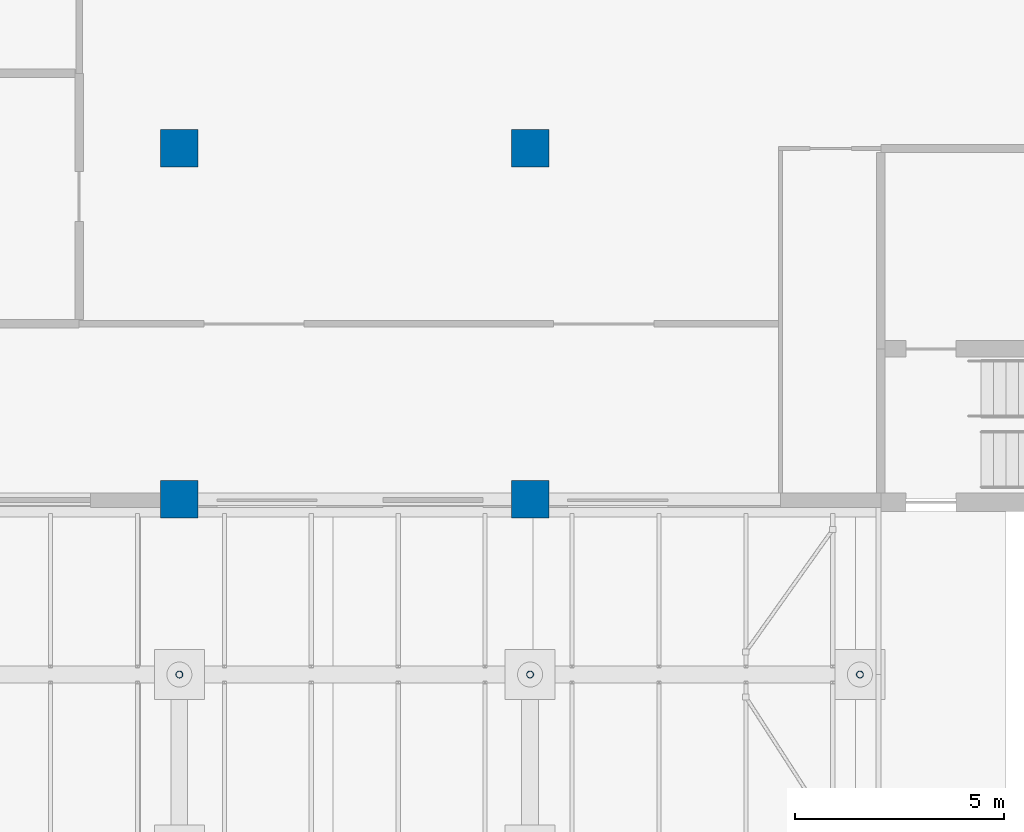
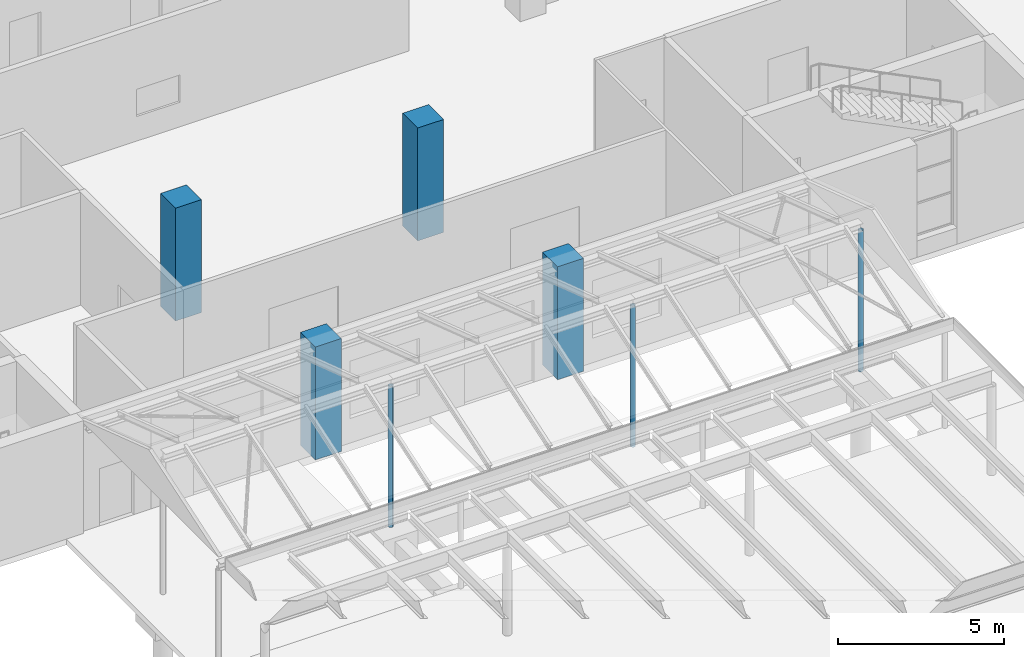
# One storey, part 9 of 138: 7 columns.
"""IFC4 building model written with IfcOpenShell, lengths in metres."""

from ifc_helpers import new_model, si_unit, direction, frame, origin, origin_2d, place, context, subcontext, project, spatial, rectangle, hollow_circle, extrude, material, material_profile, profile_set, type_object, element, save


model = new_model("IFC4")

# Units and contexts
model_context = context("Model", 3, precision=1e-05, world=origin(), true_north=direction((0.0, 1.0)))
body_context = subcontext(model_context, "Body", "Model", "MODEL_VIEW")
ifc_project = project(units=[si_unit("LENGTHUNIT", "METRE"), si_unit("AREAUNIT", "SQUARE_METRE"), si_unit("VOLUMEUNIT", "CUBIC_METRE"), si_unit("PLANEANGLEUNIT", "RADIAN"), si_unit("MASSUNIT", "GRAM", prefix="KILO")], contexts=[model_context])

# Site, building, storey
site_placement = place(None, origin())
site = spatial("IfcSite", under=ifc_project, at=site_placement, CompositionType="ELEMENT")
building_placement = place(site_placement, origin())
building = spatial("IfcBuilding", under=site, at=building_placement, Name="Yavir Park General Hospital", CompositionType="ELEMENT")
storey_placement = place(building_placement, origin())
storey = spatial("IfcBuildingStorey", under=building, at=storey_placement, Name="L00", CompositionType="ELEMENT", Elevation=0.0)

# Columns
ifc_material_1 = material(Name="Steel S355", Category="steel")
ifc_material_profile_1 = material_profile(ifc_material_1, hollow_circle(Radius=0.084228515625, WallThickness=0.008056640625, at=origin_2d()), Name="CHS168.3x8")
ifc_profile_set_1 = profile_set([ifc_material_profile_1], Name="Steel S355")
column_type_1 = type_object("IfcColumnType", Name="CHS 168.3x8 ridge post", PredefinedType="COLUMN", material=ifc_profile_set_1)
for number, where, z_axis, x_axis, name in (
    (1, (84.0, -4.199951171875, -0.300048828125), (0.0, 0.0, 1.0), (1.0, 0.0, 0.0), "RF:PORCH:frame:K:1"),
    (2, (92.39990234375, -4.199951171875, -0.300048828125), (0.0, 0.0, 1.0), (1.0, 0.0, 0.0), "RF:PORCH:frame:K:2"),
    (3, (100.300048828125, -4.199951171875, -0.300048828125), (0.0, 0.0, 1.0), (1.0, 0.0, 0.0), "RF:PORCH:frame:K:3"),
):
    element("IfcColumn", number, at=place(storey_placement, frame(where, z_axis=z_axis, x_axis=x_axis)), inside=storey, type_object=column_type_1, Name=name, PredefinedType="COLUMN", context=body_context, shape_type="SweptSolid", body=[
        extrude(hollow_circle(Radius=0.084228515625, WallThickness=0.008056640625, at=origin_2d()), origin(), (0.0, 0.0, 1.0), 5.171142578125),
    ])
ifc_material_2 = material(Name="Concrete C40/50", Category="concrete")
ifc_material_profile_2 = material_profile(ifc_material_2, rectangle(XDim=0.89990234375, YDim=0.89990234375, at=origin_2d()), Name="RC900x900")
ifc_profile_set_2 = profile_set([ifc_material_profile_2], Name="Concrete C40/50")
column_type_2 = type_object("IfcColumnType", Name="RC COLUMN 900x900", PredefinedType="COLUMN", material=ifc_profile_set_2)
for number, where, z_axis, x_axis, name in (
    (4, (84.0, 0.0, 0.0), (0.0, 0.0, 1.0), (1.0, 0.0, 0.0), "C:L00:11A"),
    (5, (92.39990234375, 0.0, 0.0), (0.0, 0.0, 1.0), (1.0, 0.0, 0.0), "C:L00:12A"),
    (6, (84.0, 8.39990234375, 0.0), (0.0, 0.0, 1.0), (1.0, 0.0, 0.0), "C:L00:11B"),
    (7, (92.39990234375, 8.39990234375, 0.0), (0.0, 0.0, 1.0), (1.0, 0.0, 0.0), "C:L00:12B"),
):
    element("IfcColumn", number, at=place(storey_placement, frame(where, z_axis=z_axis, x_axis=x_axis)), inside=storey, type_object=column_type_2, Name=name, PredefinedType="COLUMN", context=body_context, shape_type="SweptSolid", body=[
        extrude(rectangle(XDim=0.89990234375, YDim=0.89990234375, at=origin_2d()), origin(), (0.0, 0.0, 1.0), 4.139892578125),
    ])

save(model, "model.ifc")
